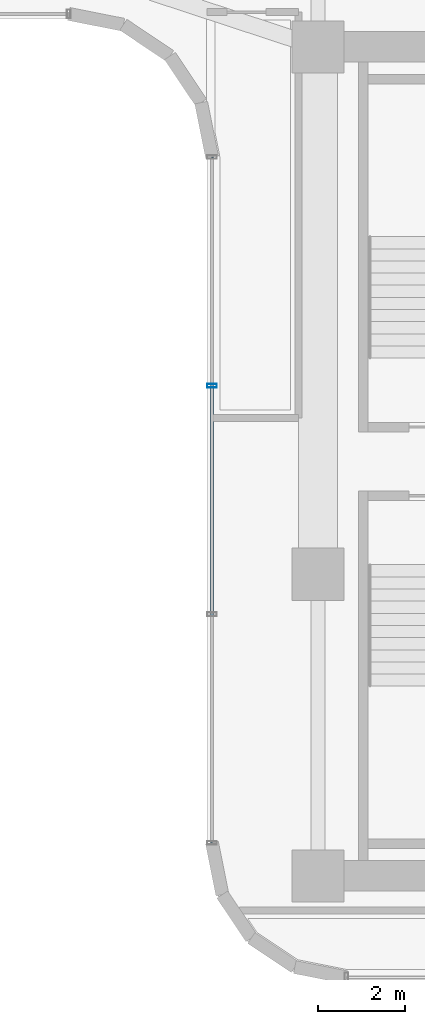
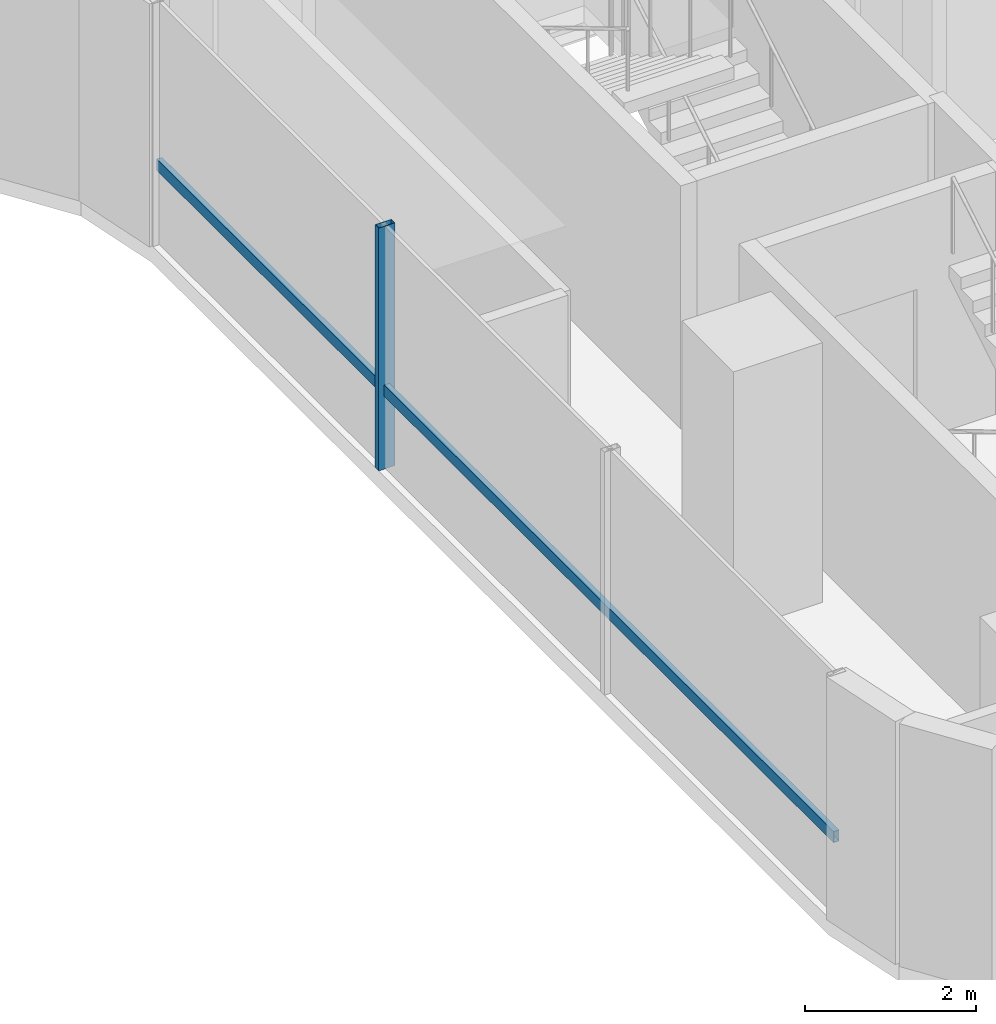
# One storey, part 14 of 35: 2 members, 1 element without a shape of its own.
"""IFC4 building model written with IfcOpenShell, lengths in metres."""

from ifc_helpers import new_model, si_unit, direction, frame, origin, origin_2d, place, context, subcontext, project, spatial, hollow_rectangle, extrude, source, transform, mapped, material, material_profile, profile_set, type_object, element, aggregate, save


model = new_model("IFC4")

# Units and contexts
model_context = context("Model", 3, precision=1e-05, world=origin(), true_north=direction((0.0, 1.0)))
body_context = subcontext(model_context, "Body", "Model", "MODEL_VIEW")
ifc_project = project(units=[si_unit("LENGTHUNIT", "METRE"), si_unit("AREAUNIT", "SQUARE_METRE"), si_unit("VOLUMEUNIT", "CUBIC_METRE"), si_unit("PLANEANGLEUNIT", "RADIAN"), si_unit("MASSUNIT", "GRAM", prefix="KILO")], contexts=[model_context])

# Site, building, storey
site_placement = place(None, origin())
site = spatial("IfcSite", under=ifc_project, at=site_placement, CompositionType="ELEMENT")
building_placement = place(site_placement, origin())
building = spatial("IfcBuilding", under=site, at=building_placement, Name="Valdorenza Pilgrim Sanctuary Tower", CompositionType="ELEMENT")
storey_placement = place(building_placement, frame((0.0, 0.0, 116.800048828125)))
storey = spatial("IfcBuildingStorey", under=building, at=storey_placement, Name="L29", CompositionType="ELEMENT", Elevation=116.800048828125)

# Curtain wall, members
ifc_material_1 = material(Name="Curtain-wall IGU glazing", Category="glass")
curtain_wall_type = type_object("IfcCurtainWallType", Name="CW-SYS-03", PredefinedType="NOTDEFINED", material=ifc_material_1)
curtain_wall_placement = place(storey_placement, origin())
curtain_wall = element("IfcCurtainWall", 1, at=curtain_wall_placement, inside=storey, type_object=curtain_wall_type, Name="L29 Curtain Wall CW-L29-1-31", PredefinedType="NOTDEFINED")
ifc_material_2 = material(Name="Anodised aluminium AW-6060", Category="aluminium")
ifc_material_profile_1 = material_profile(ifc_material_2, hollow_rectangle(XDim=0.0849609375, YDim=0.219970703125, WallThickness=0.0048828125, at=origin_2d()), Name="ALU-M 220x85x5")
ifc_profile_set_1 = profile_set([ifc_material_profile_1], Name="Anodised aluminium AW-6060")
member_type_1 = type_object("IfcMemberType", Name="CW-MUL-03", PredefinedType="MULLION", material=ifc_profile_set_1)
shared_shape_1 = source(origin(), body_context, "Body", "SweptSolid", [
    extrude(hollow_rectangle(XDim=0.0849609375, YDim=0.219970703125, WallThickness=0.0048828125, at=origin_2d()), origin(), (0.0, 0.0, 1.0), 3.4599609375),
])
member_1_placement = place(storey_placement, frame((13.409912109375, 1.744140625, 0.0), z_axis=(0.0, 0.0, 1.0), x_axis=(0.0, 1.0, 0.0)))
member_1 = element("IfcMember", 2, at=member_1_placement, type_object=member_type_1, Name="CW-L29-1-31 Mullion 3", PredefinedType="MULLION", context=body_context, shape_type="MappedRepresentation", body=[
    mapped(shared_shape_1, transform((0.0, 0.0, 0.0), x_axis=(1.0, 0.0, 0.0), y_axis=(0.0, 1.0, 0.0), z_axis=(0.0, 0.0, 1.0), scale=1.0)),
])
ifc_material_profile_2 = material_profile(ifc_material_2, hollow_rectangle(XDim=0.074951171875, YDim=0.159912109375, WallThickness=0.00390625, at=origin_2d()), Name="ALU-T 160x75x4")
ifc_profile_set_2 = profile_set([ifc_material_profile_2], Name="Anodised aluminium AW-6060")
member_type_2 = type_object("IfcMemberType", Name="CW-TRN-03", PredefinedType="USERDEFINED", material=ifc_profile_set_2)
shared_shape_2 = source(origin(), body_context, "Body", "SweptSolid", [
    extrude(hollow_rectangle(XDim=0.074951171875, YDim=0.159912109375, WallThickness=0.00390625, at=origin_2d()), origin(), (0.0, 0.0, 1.0), 15.800048828125),
])
member_2_placement = place(storey_placement, frame((13.409912109375, -8.789306640625, 1.119873046875), z_axis=(0.0, 1.0, 0.0), x_axis=(-1.0, 0.0, 0.0)))
member_2 = element("IfcMember", 3, at=member_2_placement, type_object=member_type_2, Name="CW-L29-1-31 Transom 1", ObjectType="TRANSOM", PredefinedType="USERDEFINED", context=body_context, shape_type="MappedRepresentation", body=[
    mapped(shared_shape_2, transform((0.0, 0.0, 0.0), x_axis=(1.0, 0.0, 0.0), y_axis=(0.0, 1.0, 0.0), z_axis=(0.0, 0.0, 1.0), scale=1.0)),
])
aggregate(curtain_wall, [member_1, member_2])

save(model, "model.ifc")
